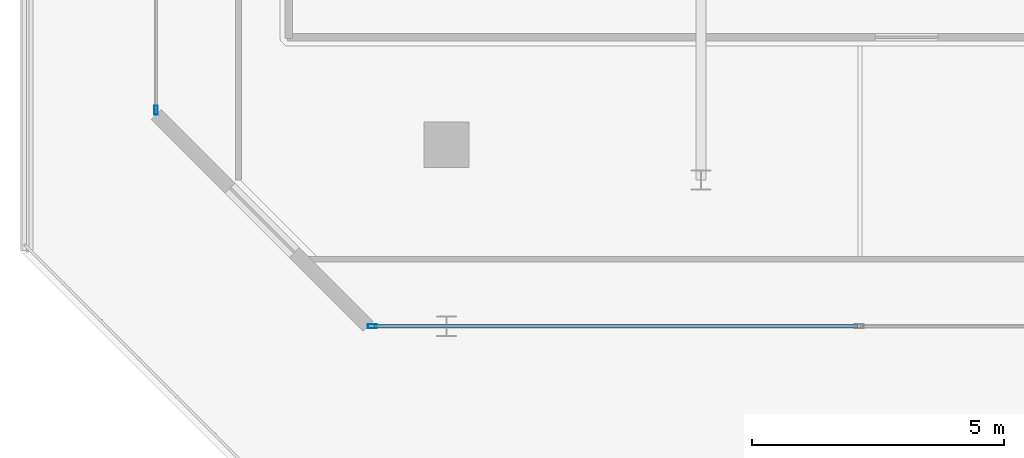
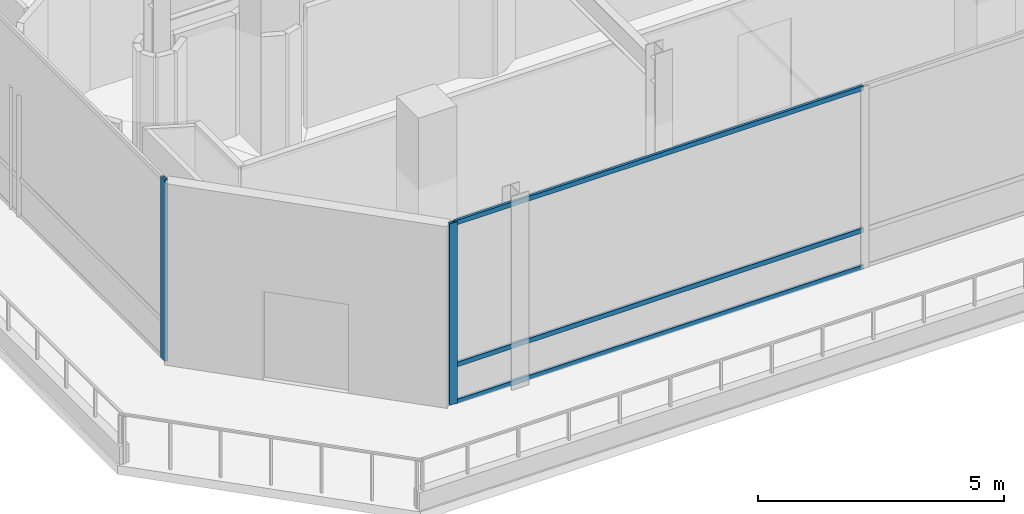
# One storey, part 5 of 39: 5 members, 2 elements without a shape of their own.
"""IFC4 building model written with IfcOpenShell, lengths in metres."""

from ifc_helpers import new_model, si_unit, direction, frame, origin, origin_2d, place, context, subcontext, project, spatial, hollow_rectangle, extrude, material, layer, layer_set, material_profile, profile_set, type_object, element, aggregate, save


model = new_model("IFC4")

# Units and contexts
model_context = context("Model", 3, precision=1e-05, world=origin(), true_north=direction((0.0, 1.0)))
body_context = subcontext(model_context, "Body", "Model", "MODEL_VIEW")
ifc_project = project(units=[si_unit("LENGTHUNIT", "METRE"), si_unit("AREAUNIT", "SQUARE_METRE"), si_unit("VOLUMEUNIT", "CUBIC_METRE"), si_unit("PLANEANGLEUNIT", "RADIAN"), si_unit("MASSUNIT", "GRAM", prefix="KILO")], contexts=[model_context])

# Site, building, storey
site_placement = place(None, origin())
site = spatial("IfcSite", under=ifc_project, at=site_placement, CompositionType="ELEMENT")
building_placement = place(site_placement, origin())
building = spatial("IfcBuilding", under=site, at=building_placement, Name="Qianvela Tower", CompositionType="ELEMENT")
storey_placement = place(building_placement, frame((0.0, 0.0, 15.800048828125)))
storey = spatial("IfcBuildingStorey", under=building, at=storey_placement, Name="L03", CompositionType="ELEMENT", Elevation=15.800048828125)

# Curtain wall, member
ifc_material_1 = material(Name="Anodised Architectural Aluminium and Low-E Glass", Category="aluminium")
ifc_layer = layer(ifc_material_1, 0.179931640625)
ifc_layer_set = layer_set([ifc_layer], Name="Anodised Architectural Aluminium and Low-E Glass")
curtain_wall_type = type_object("IfcCurtainWallType", Name="CW-COMMONS", PredefinedType="USERDEFINED", material=ifc_layer_set)
curtain_wall_1_placement = place(storey_placement, origin())
curtain_wall_1 = element("IfcCurtainWall", 1, at=curtain_wall_1_placement, inside=storey, type_object=curtain_wall_type, Name="L03 CW-COMMONS Curtain Wall 01", ObjectType="CURTAIN_WALL_SYSTEM", PredefinedType="USERDEFINED")
ifc_material_2 = material(Name="Anodised Architectural Aluminium 6063-T6", Category="aluminium")
ifc_material_profile_1 = material_profile(ifc_material_2, hollow_rectangle(XDim=0.070068359375, YDim=0.179931640625, WallThickness=0.0048828125, at=origin_2d()), Name="ALU-MULL-70x180")
ifc_profile_set_1 = profile_set([ifc_material_profile_1], Name="Anodised Architectural Aluminium 6063-T6")
member_type_1 = type_object("IfcMemberType", Name="CW-COMMONS-MULL", PredefinedType="MULLION", material=ifc_profile_set_1)
member_1_placement = place(storey_placement, frame((8.485107421875, 4.5, 0.0), z_axis=(0.0, 0.0, 1.0), x_axis=(0.0, 1.0, 0.0)))
member_1 = element("IfcMember", 2, at=member_1_placement, type_object=member_type_1, Name="CW-2 mullion 1", PredefinedType="MULLION", context=body_context, shape_type="SweptSolid", body=[
    extrude(hollow_rectangle(XDim=0.070068359375, YDim=0.179931640625, WallThickness=0.0048828125, at=origin_2d()), origin(), (0.0, 0.0, 1.0), 4.5),
])

curtain_wall_2_placement = place(storey_placement, origin())
curtain_wall_2 = element("IfcCurtainWall", 3, at=curtain_wall_2_placement, inside=storey, type_object=curtain_wall_type, Name="L03 CW-COMMONS Curtain Wall 07", ObjectType="CURTAIN_WALL_SYSTEM", PredefinedType="USERDEFINED")
member_2_placement = place(storey_placement, frame((4.199951171875, 8.784912109375, 0.0), z_axis=(0.0, 0.0, 1.0), x_axis=(1.0, 0.0, 0.0)))
member_2 = element("IfcMember", 4, at=member_2_placement, type_object=member_type_1, Name="CW-2 mullion 5", PredefinedType="MULLION", context=body_context, shape_type="SweptSolid", body=[
    extrude(hollow_rectangle(XDim=0.070068359375, YDim=0.179931640625, WallThickness=0.0048828125, at=origin_2d()), origin(), (0.0, 0.0, 1.0), 4.5),
])
aggregate(curtain_wall_2, [member_2])

# Member
ifc_material_3 = material(Name="Anodised Architectural Aluminium 6063-T6", Category="aluminium")
ifc_material_profile_2 = material_profile(ifc_material_3, hollow_rectangle(XDim=0.06005859375, YDim=0.114990234375, WallThickness=0.00390625, at=origin_2d()), Name="ALU-TRAN-60x115")
ifc_profile_set_2 = profile_set([ifc_material_profile_2], Name="Anodised Architectural Aluminium 6063-T6")
member_type_2 = type_object("IfcMemberType", Name="CW-COMMONS-TRAN", PredefinedType="USERDEFINED", material=ifc_profile_set_2)
member_3_placement = place(storey_placement, frame((8.52001953125, 4.5, 0.030029296875), z_axis=(1.0, 0.0, 0.0), x_axis=(0.0, 1.0, 0.0)))
member_3 = element("IfcMember", 5, at=member_3_placement, type_object=member_type_2, Name="CW-2 transom 1.1", ObjectType="TRANSOM", PredefinedType="USERDEFINED", context=body_context, shape_type="SweptSolid", body=[
    extrude(hollow_rectangle(XDim=0.06005859375, YDim=0.114990234375, WallThickness=0.00390625, at=origin_2d()), origin(), (0.0, 0.0, 1.0), 9.578369140625),
])

member_4_placement = place(storey_placement, frame((8.52001953125, 4.5, 0.949951171875), z_axis=(1.0, 0.0, 0.0), x_axis=(0.0, 1.0, 0.0)))
member_4 = element("IfcMember", 6, at=member_4_placement, type_object=member_type_2, Name="CW-2 transom 1.2", ObjectType="TRANSOM", PredefinedType="USERDEFINED", context=body_context, shape_type="SweptSolid", body=[
    extrude(hollow_rectangle(XDim=0.06005859375, YDim=0.114990234375, WallThickness=0.00390625, at=origin_2d()), origin(), (0.0, 0.0, 1.0), 9.578369140625),
])

member_5_placement = place(storey_placement, frame((8.52001953125, 4.5, 4.469970703125), z_axis=(1.0, 0.0, 0.0), x_axis=(0.0, 1.0, 0.0)))
member_5 = element("IfcMember", 7, at=member_5_placement, type_object=member_type_2, Name="CW-2 transom 1.3", ObjectType="TRANSOM", PredefinedType="USERDEFINED", context=body_context, shape_type="SweptSolid", body=[
    extrude(hollow_rectangle(XDim=0.06005859375, YDim=0.114990234375, WallThickness=0.00390625, at=origin_2d()), origin(), (0.0, 0.0, 1.0), 9.578369140625),
])

aggregate(curtain_wall_1, [member_1, member_3, member_4, member_5])

save(model, "model.ifc")
